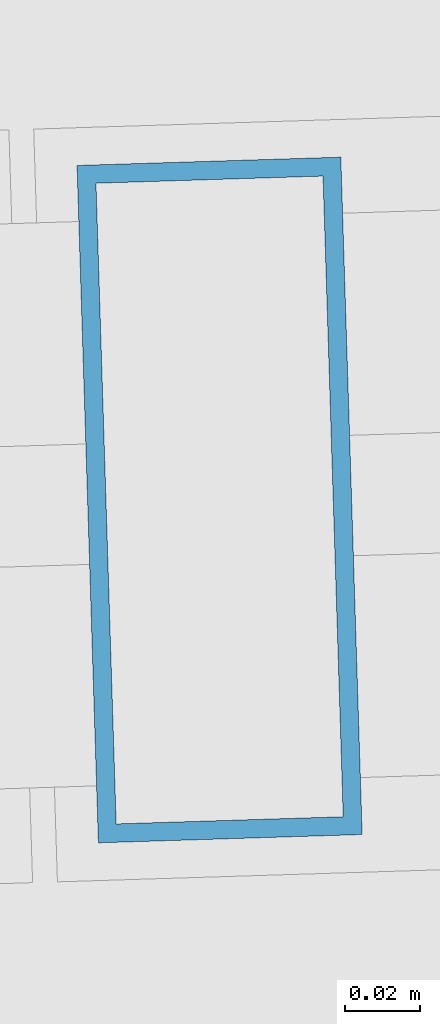
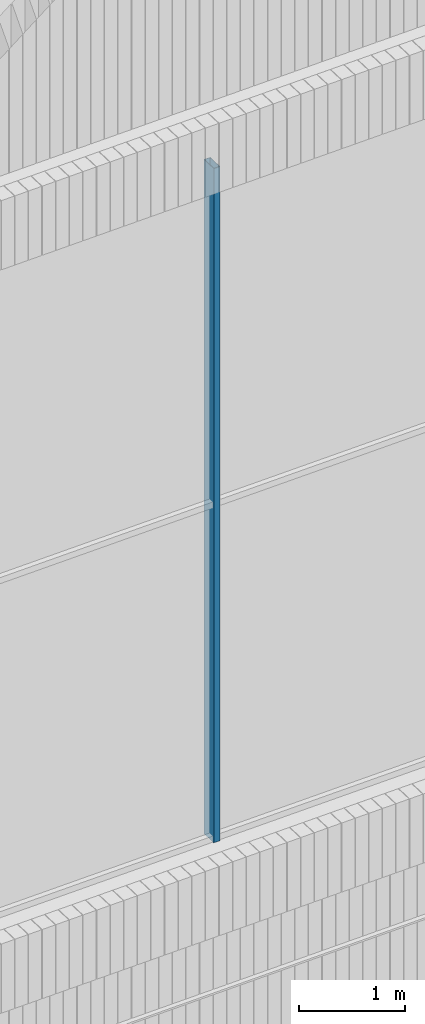
# One storey, part 23 of 117: 1 member, 1 element without a shape of its own.
"""IFC4 building model written with IfcOpenShell, lengths in metres."""

from ifc_helpers import new_model, si_unit, direction, frame, origin, origin_2d, place, context, subcontext, project, spatial, hollow_rectangle, extrude, material, layer, layer_set, material_profile, profile_set, type_object, element, aggregate, save


model = new_model("IFC4")

# Units and contexts
model_context = context("Model", 3, precision=1e-05, world=origin(), true_north=direction((0.0, 1.0)))
body_context = subcontext(model_context, "Body", "Model", "MODEL_VIEW")
ifc_project = project(units=[si_unit("LENGTHUNIT", "METRE"), si_unit("AREAUNIT", "SQUARE_METRE"), si_unit("VOLUMEUNIT", "CUBIC_METRE"), si_unit("PLANEANGLEUNIT", "RADIAN"), si_unit("MASSUNIT", "GRAM", prefix="KILO")], contexts=[model_context])

# Site, building, storey
site_placement = place(None, origin())
site = spatial("IfcSite", under=ifc_project, at=site_placement, CompositionType="ELEMENT")
building_placement = place(site_placement, origin())
building = spatial("IfcBuilding", under=site, at=building_placement, Name="Tarsis Ring Headquarters", CompositionType="ELEMENT")
storey_placement = place(building_placement, frame((0.0, 0.0, 403.60009765625)))
storey = spatial("IfcBuildingStorey", under=building, at=storey_placement, Name="L95", CompositionType="ELEMENT", Elevation=403.60009765625)

# Curtain wall, member
ifc_material_1 = material(Name="Aluminium curtain wall", Category="aluminium")
ifc_layer = layer(ifc_material_1, 0.179931640625)
ifc_layer_set = layer_set([ifc_layer], Name="Curtain wall crown glazing")
curtain_wall_type = type_object("IfcCurtainWallType", Name="Curtain wall crown glazing", PredefinedType="NOTDEFINED", material=ifc_layer_set)
curtain_wall_placement = place(storey_placement, origin())
curtain_wall = element("IfcCurtainWall", 1, at=curtain_wall_placement, inside=storey, type_object=curtain_wall_type, Name="Crown glazing L1", PredefinedType="NOTDEFINED")
ifc_material_2 = material(Name="Aluminium mullion", Category="aluminium")
ifc_material_profile = material_profile(ifc_material_2, hollow_rectangle(XDim=0.179931640625, YDim=0.070068359375, WallThickness=0.0048828125, at=origin_2d()), Name="RHS 180x70x5")
ifc_profile_set = profile_set([ifc_material_profile], Name="Aluminium mullion")
member_type = type_object("IfcMemberType", Name="Crown glazing mullion RHS 180x70x5", PredefinedType="MULLION", material=ifc_profile_set)
member_placement = place(storey_placement, frame((2.541259765625, -28.47900390625, 5.7998046875), z_axis=(0.0, 0.0, 1.0), x_axis=(-0.031497755807, 0.999503822594, 0.0)))
member = element("IfcMember", 2, at=member_placement, type_object=member_type, Name="CW-C mullion 3", PredefinedType="MULLION", context=body_context, shape_type="SweptSolid", body=[
    extrude(hollow_rectangle(XDim=0.179931640625, YDim=0.070068359375, WallThickness=0.0048828125, at=origin_2d()), origin(), (0.0, 0.0, 1.0), 7.800048828125),
])
aggregate(curtain_wall, [member])

save(model, "model.ifc")
